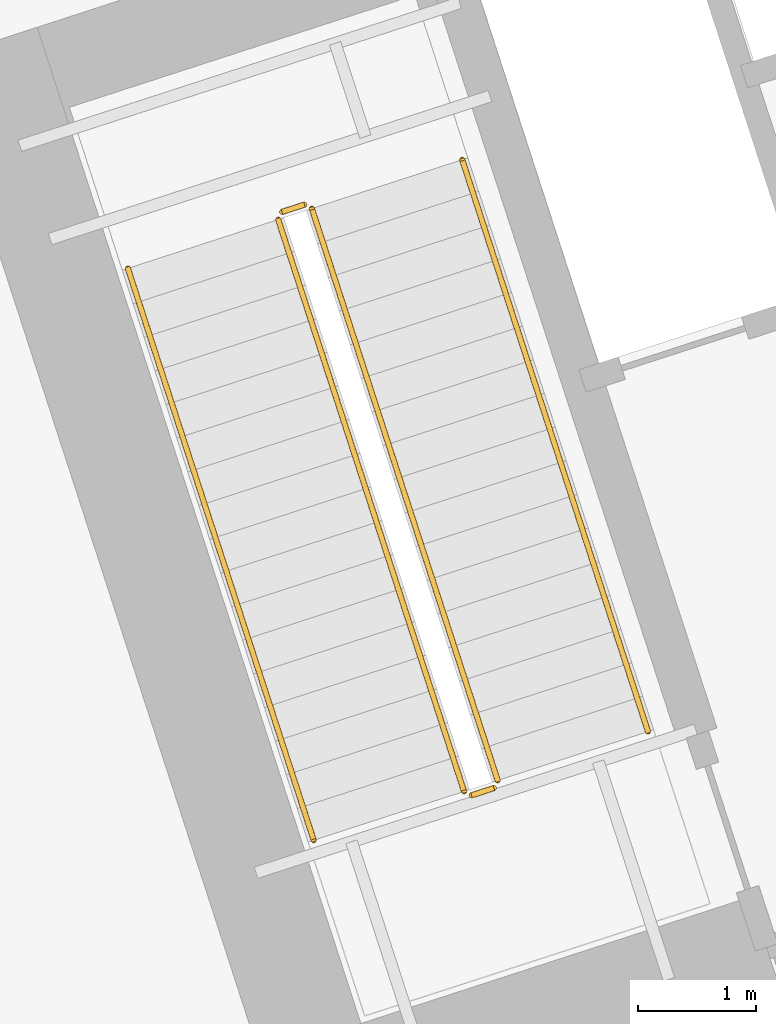
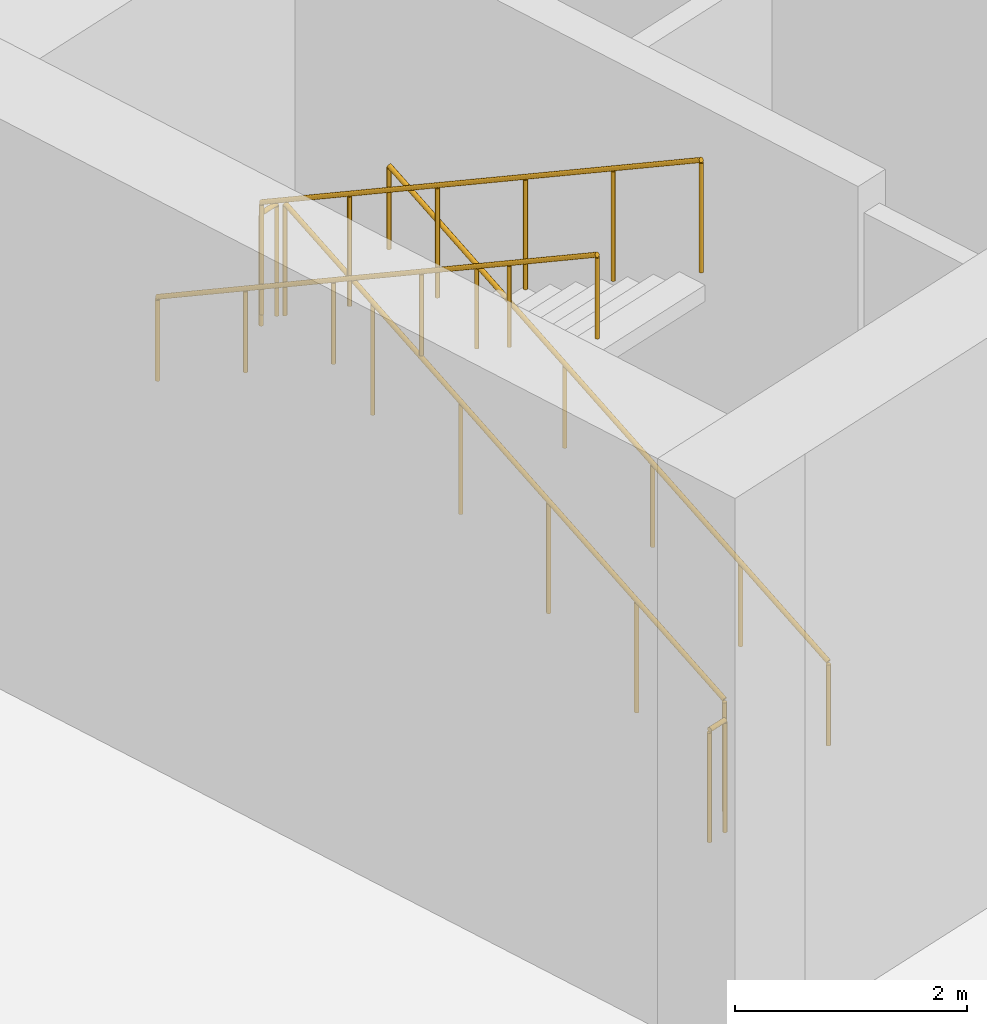
# One storey, part 27 of 31: 6 railings.
"""IFC4 building model written with IfcOpenShell, lengths in metres."""

from ifc_helpers import new_model, si_unit, direction, frame, origin, origin_2d, place, context, subcontext, project, spatial, circle, extrude, material, type_object, element, save


model = new_model("IFC4")

# Units and contexts
model_context = context("Model", 3, precision=1e-05, world=origin(), true_north=direction((0.0, 1.0)))
body_context = subcontext(model_context, "Body", "Model", "MODEL_VIEW")
ifc_project = project(units=[si_unit("LENGTHUNIT", "METRE"), si_unit("AREAUNIT", "SQUARE_METRE"), si_unit("VOLUMEUNIT", "CUBIC_METRE"), si_unit("PLANEANGLEUNIT", "RADIAN"), si_unit("MASSUNIT", "GRAM", prefix="KILO")], contexts=[model_context])

# Site, building, storey
site_placement = place(None, origin())
site = spatial("IfcSite", under=ifc_project, at=site_placement, CompositionType="ELEMENT")
building_placement = place(site_placement, origin())
building = spatial("IfcBuilding", under=site, at=building_placement, Name="Qiaolan Cultural Towers", CompositionType="ELEMENT")
storey_placement = place(building_placement, origin())
storey = spatial("IfcBuildingStorey", under=building, at=storey_placement, Name="L00", CompositionType="ELEMENT", Elevation=0.0)

# Railings
ifc_material_1 = material(Name="Galvanized Painted Steel Stair Guardrail", Category="steel")
railing_type_1 = type_object("IfcRailingType", Name="RL-STAIR-GRD", PredefinedType="GUARDRAIL", material=ifc_material_1)
railing_1_placement = place(storey_placement, frame((80.822021484375, 44.739501953125, 0.166748046875)))
element("IfcRailing", 1, at=railing_1_placement, inside=storey, type_object=railing_type_1, Name="L00 ST-E2 stair guard 1", PredefinedType="GUARDRAIL", context=body_context, shape_type="SweptSolid", body=[
    extrude(circle(Radius=0.02392578125, at=origin_2d()), frame((0.0, 0.0, 1.17578125), z_axis=(-0.270123706514, 0.831378416316, 0.48563681086), x_axis=(-0.951059043131, -0.309009217467, 0.0)), (0.0, 0.0, 1.0), 5.833984375),
    extrude(circle(Radius=0.02099609375, at=origin_2d()), origin(), (0.0, 0.0, 1.0), 1.15185546875),
    extrude(circle(Radius=0.02099609375, at=origin_2d()), frame((-0.315185546875, 0.969970703125, 0.566650390625)), (0.0, 0.0, 1.0), 1.15185546875),
    extrude(circle(Radius=0.02099609375, at=origin_2d()), frame((-0.63037109375, 1.940185546875, 1.13330078125)), (0.0, 0.0, 1.0), 1.15185546875),
    extrude(circle(Radius=0.02099609375, at=origin_2d()), frame((-0.945556640625, 2.91015625, 1.699951171875)), (0.0, 0.0, 1.0), 1.15185546875),
    extrude(circle(Radius=0.02099609375, at=origin_2d()), frame((-1.2607421875, 3.88037109375, 2.2666015625)), (0.0, 0.0, 1.0), 1.15185546875),
    extrude(circle(Radius=0.02099609375, at=origin_2d()), frame((-1.575927734375, 4.850341796875, 2.833251953125)), (0.0, 0.0, 1.0), 1.15185546875),
])
railing_2_placement = place(storey_placement, frame((79.18310546875, 49.6220703125, 3.0)))
element("IfcRailing", 2, at=railing_2_placement, inside=storey, type_object=railing_type_1, Name="L00 ST-E2 stair guard 2", PredefinedType="GUARDRAIL", context=body_context, shape_type="SweptSolid", body=[
    extrude(circle(Radius=0.02392578125, at=origin_2d()), frame((0.0, 0.0, 1.17578125), z_axis=(-0.951096855055, -0.308892816854, 0.0), x_axis=(0.308892816854, -0.951096855055, 0.0)), (0.0, 0.0, 1.0), 0.199951171875),
    extrude(circle(Radius=0.02099609375, at=origin_2d()), origin(), (0.0, 0.0, 1.0), 1.15185546875),
    extrude(circle(Radius=0.02099609375, at=origin_2d()), frame((-0.190185546875, -0.061767578125, 0.0)), (0.0, 0.0, 1.0), 1.15185546875),
])
railing_3_placement = place(storey_placement, frame((78.960693359375, 49.4970703125, 3.166748046875)))
element("IfcRailing", 3, at=railing_3_placement, inside=storey, type_object=railing_type_1, Name="L00 ST-E2 stair guard 3", PredefinedType="GUARDRAIL", context=body_context, shape_type="SweptSolid", body=[
    extrude(circle(Radius=0.02392578125, at=origin_2d()), frame((0.0, 0.0, 1.17578125), z_axis=(0.270162499604, -0.831369017911, 0.485631320927), x_axis=(0.951044973649, 0.30905251673, 0.0)), (0.0, 0.0, 1.0), 5.834228515625),
    extrude(circle(Radius=0.02099609375, at=origin_2d()), origin(), (0.0, 0.0, 1.0), 1.15185546875),
    extrude(circle(Radius=0.02099609375, at=origin_2d()), frame((0.315185546875, -0.969970703125, 0.566650390625)), (0.0, 0.0, 1.0), 1.15185546875),
    extrude(circle(Radius=0.02099609375, at=origin_2d()), frame((0.63037109375, -1.940185546875, 1.13330078125)), (0.0, 0.0, 1.0), 1.15185546875),
    extrude(circle(Radius=0.02099609375, at=origin_2d()), frame((0.94580078125, -2.91015625, 1.699951171875)), (0.0, 0.0, 1.0), 1.15185546875),
    extrude(circle(Radius=0.02099609375, at=origin_2d()), frame((1.260986328125, -3.88037109375, 2.2666015625)), (0.0, 0.0, 1.0), 1.15185546875),
    extrude(circle(Radius=0.02099609375, at=origin_2d()), frame((1.576171875, -4.850341796875, 2.833251953125)), (0.0, 0.0, 1.0), 1.15185546875),
])
railing_4_placement = place(storey_placement, frame((80.7900390625, 44.676513671875, 0.0)))
element("IfcRailing", 4, at=railing_4_placement, inside=storey, type_object=railing_type_1, Name="L00 ST-E2 stair guard 4", PredefinedType="GUARDRAIL", context=body_context, shape_type="SweptSolid", body=[
    extrude(circle(Radius=0.02392578125, at=origin_2d()), frame((0.0, 0.0, 1.17578125), z_axis=(-0.951096855055, -0.308892816854, 0.0), x_axis=(0.308892816854, -0.951096855055, 0.0)), (0.0, 0.0, 1.0), 0.199951171875),
    extrude(circle(Radius=0.02099609375, at=origin_2d()), origin(), (0.0, 0.0, 1.0), 1.15185546875),
    extrude(circle(Radius=0.02099609375, at=origin_2d()), frame((-0.190185546875, -0.061767578125, 0.0)), (0.0, 0.0, 1.0), 1.15185546875),
])
ifc_material_2 = material(Name="Stainless Steel S30408 Tubular Handrail", Category="steel")
railing_type_2 = type_object("IfcRailingType", Name="RL-STAIR-HR", PredefinedType="HANDRAIL", material=ifc_material_2)
railing_5_placement = place(storey_placement, frame((82.096435546875, 45.153564453125, 0.166748046875)))
element("IfcRailing", 5, at=railing_5_placement, inside=storey, type_object=railing_type_2, Name="L00 ST-E2 stair handrail 1", PredefinedType="HANDRAIL", context=body_context, shape_type="SweptSolid", body=[
    extrude(circle(Radius=0.02392578125, at=origin_2d()), frame((0.0, 0.0, 0.8759765625), z_axis=(-0.270123706514, 0.831378416316, 0.48563681086), x_axis=(-0.951059043131, -0.309009217467, 0.0)), (0.0, 0.0, 1.0), 5.833984375),
    extrude(circle(Radius=0.02099609375, at=origin_2d()), origin(), (0.0, 0.0, 1.0), 0.851806640625),
    extrude(circle(Radius=0.02099609375, at=origin_2d()), frame((-0.315185546875, 0.969970703125, 0.566650390625)), (0.0, 0.0, 1.0), 0.851806640625),
    extrude(circle(Radius=0.02099609375, at=origin_2d()), frame((-0.63037109375, 1.940185546875, 1.13330078125)), (0.0, 0.0, 1.0), 0.851806640625),
    extrude(circle(Radius=0.02099609375, at=origin_2d()), frame((-0.945556640625, 2.91015625, 1.699951171875)), (0.0, 0.0, 1.0), 0.851806640625),
    extrude(circle(Radius=0.02099609375, at=origin_2d()), frame((-1.2607421875, 3.88037109375, 2.2666015625)), (0.0, 0.0, 1.0), 0.851806640625),
    extrude(circle(Radius=0.02099609375, at=origin_2d()), frame((-1.575927734375, 4.850341796875, 2.833251953125)), (0.0, 0.0, 1.0), 0.851806640625),
])
railing_6_placement = place(storey_placement, frame((77.686279296875, 49.0830078125, 3.166748046875)))
element("IfcRailing", 6, at=railing_6_placement, inside=storey, type_object=railing_type_2, Name="L00 ST-E2 stair handrail 2", PredefinedType="HANDRAIL", context=body_context, shape_type="SweptSolid", body=[
    extrude(circle(Radius=0.02392578125, at=origin_2d()), frame((0.0, 0.0, 0.8759765625), z_axis=(0.270162499604, -0.831369017911, 0.485631320927), x_axis=(0.951044973649, 0.30905251673, 0.0)), (0.0, 0.0, 1.0), 5.834228515625),
    extrude(circle(Radius=0.02099609375, at=origin_2d()), origin(), (0.0, 0.0, 1.0), 0.851806640625),
    extrude(circle(Radius=0.02099609375, at=origin_2d()), frame((0.315185546875, -0.969970703125, 0.566650390625)), (0.0, 0.0, 1.0), 0.851806640625),
    extrude(circle(Radius=0.02099609375, at=origin_2d()), frame((0.63037109375, -1.940185546875, 1.13330078125)), (0.0, 0.0, 1.0), 0.851806640625),
    extrude(circle(Radius=0.02099609375, at=origin_2d()), frame((0.94580078125, -2.91015625, 1.699951171875)), (0.0, 0.0, 1.0), 0.851806640625),
    extrude(circle(Radius=0.02099609375, at=origin_2d()), frame((1.260986328125, -3.88037109375, 2.2666015625)), (0.0, 0.0, 1.0), 0.851806640625),
    extrude(circle(Radius=0.02099609375, at=origin_2d()), frame((1.576171875, -4.850341796875, 2.833251953125)), (0.0, 0.0, 1.0), 0.851806640625),
])

save(model, "model.ifc")
